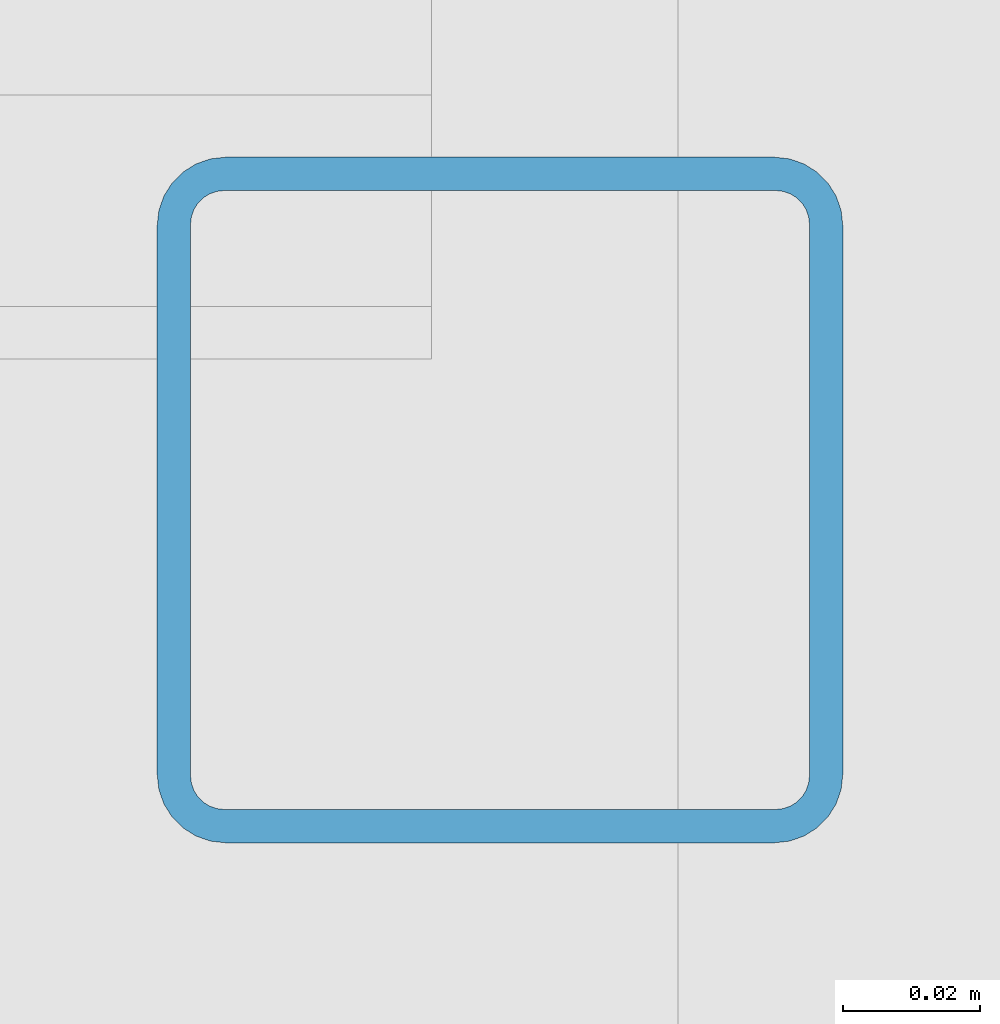
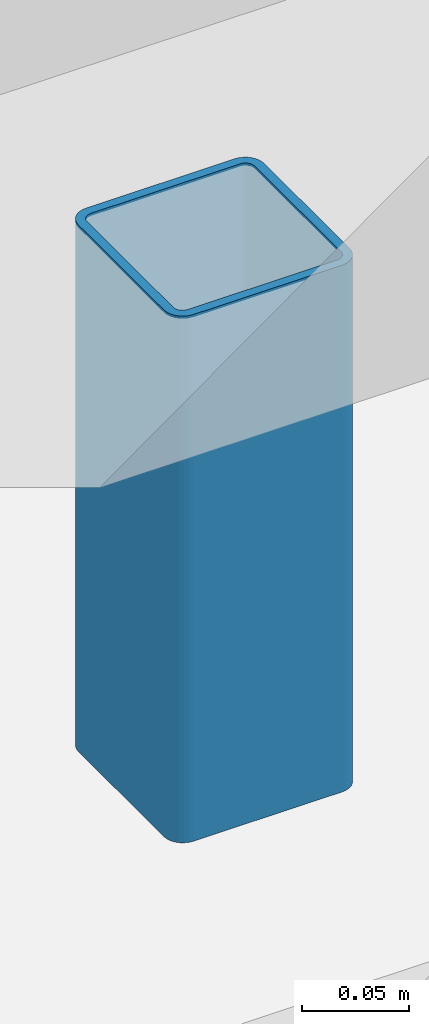
# One storey, part 19 of 33: 1 member.
"""IFC4 building model written with IfcOpenShell, lengths in metres."""

from ifc_helpers import new_model, si_unit, direction, frame, origin, origin_2d, place, context, subcontext, project, spatial, hollow_rectangle, extrude, material, material_profile, profile_set, type_object, element, save


model = new_model("IFC4")

# Units and contexts
model_context = context("Model", 3, precision=1e-05, world=origin(), true_north=direction((0.0, 1.0)))
body_context = subcontext(model_context, "Body", "Model", "MODEL_VIEW")
ifc_project = project(units=[si_unit("LENGTHUNIT", "METRE"), si_unit("AREAUNIT", "SQUARE_METRE"), si_unit("VOLUMEUNIT", "CUBIC_METRE"), si_unit("PLANEANGLEUNIT", "RADIAN"), si_unit("MASSUNIT", "GRAM", prefix="KILO")], contexts=[model_context])

# Site, building, storey
site_placement = place(None, origin())
site = spatial("IfcSite", under=ifc_project, at=site_placement, CompositionType="ELEMENT")
building_placement = place(site_placement, origin())
building = spatial("IfcBuilding", under=site, at=building_placement, Name="Ardhachandra Cancer Care Centre", CompositionType="ELEMENT")
storey_placement = place(building_placement, frame((0.0, 0.0, 27.0)))
storey = spatial("IfcBuildingStorey", under=building, at=storey_placement, Name="Roof", CompositionType="ELEMENT", Elevation=27.0)

# Member
ifc_material = material(Name="Steel E350 (IS 2062)", Category="steel")
ifc_material_profile = material_profile(ifc_material, hollow_rectangle(XDim=0.10009765625, YDim=0.10009765625, WallThickness=0.0048828125, InnerFilletRadius=0.0048828125, OuterFilletRadius=0.010009765625, at=origin_2d()), Name="SHS 100x100x5.0")
ifc_profile_set = profile_set([ifc_material_profile], Name="Steel E350 (IS 2062)")
member_type = type_object("IfcMemberType", Name="Sawtooth ridge post SHS 100x100x5.0", PredefinedType="POST", material=ifc_profile_set)
member_placement = place(storey_placement, frame((142.4599609375, 88.5400390625, 0.0), z_axis=(0.0, 0.0, 1.0), x_axis=(1.0, 0.0, 0.0)))
element("IfcMember", 1, at=member_placement, inside=storey, type_object=member_type, Name="Gutter cradle ST2a.5", PredefinedType="POST", context=body_context, shape_type="SweptSolid", body=[
    extrude(hollow_rectangle(XDim=0.10009765625, YDim=0.10009765625, WallThickness=0.0048828125, InnerFilletRadius=0.0048828125, OuterFilletRadius=0.010009765625, at=origin_2d()), origin(), (0.0, 0.0, 1.0), 0.300048828125),
])

save(model, "model.ifc")
